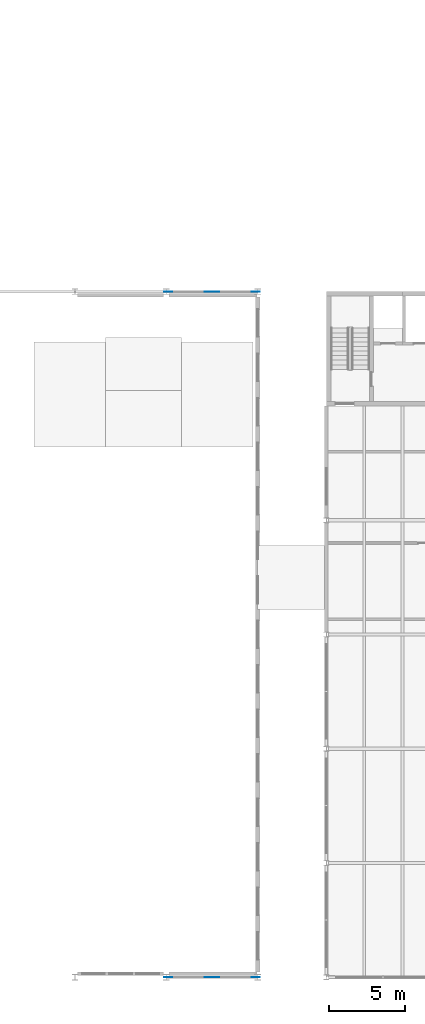
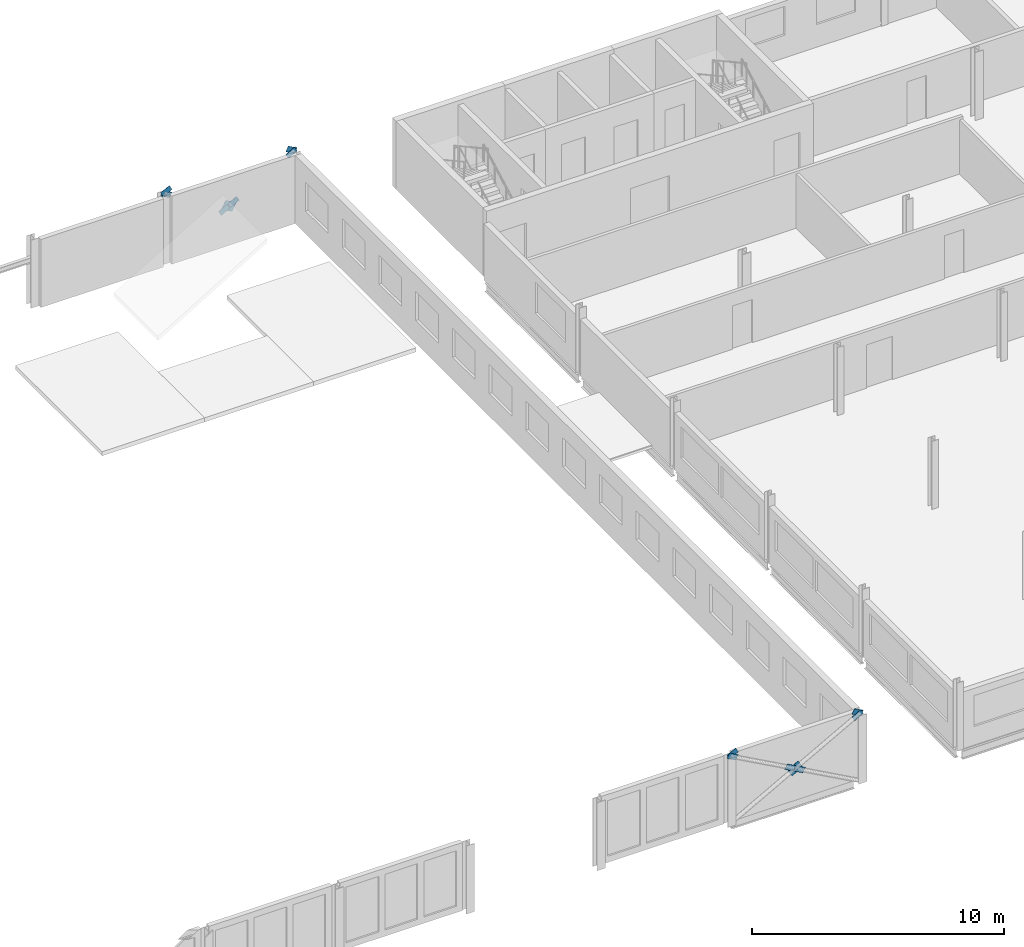
# One storey, part 163 of 198: 14 discrete accessories.
"""IFC4 building model written with IfcOpenShell, lengths in metres."""

from ifc_helpers import new_model, si_unit, direction, frame, origin, place, context, subcontext, project, spatial, polyline, outline, extrude, material, layer, layer_set, type_object, element, save


model = new_model("IFC4")

# Units and contexts
model_context = context("Model", 3, precision=1e-05, world=origin(), true_north=direction((0.0, 1.0)))
body_context = subcontext(model_context, "Body", "Model", "MODEL_VIEW")
ifc_project = project(units=[si_unit("LENGTHUNIT", "METRE"), si_unit("AREAUNIT", "SQUARE_METRE"), si_unit("VOLUMEUNIT", "CUBIC_METRE"), si_unit("PLANEANGLEUNIT", "RADIAN"), si_unit("MASSUNIT", "GRAM", prefix="KILO")], contexts=[model_context])

# Site, building, storey
site_placement = place(None, origin())
site = spatial("IfcSite", under=ifc_project, at=site_placement, CompositionType="ELEMENT")
building_placement = place(site_placement, origin())
building = spatial("IfcBuilding", under=site, at=building_placement, Name="Parallax Yard Mobility Hub", CompositionType="ELEMENT")
storey_placement = place(building_placement, frame((0.0, 0.0, 6.60009765625)))
storey = spatial("IfcBuildingStorey", under=building, at=storey_placement, Name="L02", CompositionType="ELEMENT", Elevation=6.60009765625)

# Discrete accessories
ifc_material = material(Name="Steel ASTM A36", Category="steel")
ifc_layer = layer(ifc_material, 0.011962890625)
ifc_layer_set = layer_set([ifc_layer], Name="Gusset plate PL12")
discrete_accessory_type = type_object("IfcDiscreteAccessoryType", Name="Gusset plate PL12", PredefinedType="BRACKET", material=ifc_layer_set)
discrete_accessory_1_placement = place(storey_placement, frame((92.606689453125, 7.5, 3.230712890625), z_axis=(0.0, 1.0, 0.0), x_axis=(0.876260918748, 0.0, 0.481836904226)))
element("IfcDiscreteAccessory", 1, at=discrete_accessory_1_placement, inside=storey, type_object=discrete_accessory_type, Name="Gusset plate PL12 at end 2 of X brace east end bay south face level 2 1", PredefinedType="BRACKET", context=body_context, shape_type="SweptSolid", body=[
    extrude(outline(polyline([(0.0, 0.0), (0.4580452909772414, 2.7755575615628914e-17), (0.4579089165423218, 0.25764514091531693), (0.00029148734181290437, 0.2578804128412087), (0.0, 0.0)])), origin(), (0.0, 0.0, -1.0), 0.011962890625),
])
for number, where, z_axis, x_axis, name in (
    (2, (90.350830078125, 7.5, 1.309814453125), (0.0, 1.0, 0.0), (-0.876137085839, 0.0, 0.482062036274), "Gusset plate PL12 at end 2 of X brace east end bay south face level 2 2 (half 1)"),
    (3, (89.649169921875, 7.5, 1.989990234375), (0.0, 1.0, 0.0), (0.876137085839, 0.0, -0.482062036274), "Gusset plate PL12 at end 1 of X brace east end bay south face level 2 2 (half 2)"),
):
    element("IfcDiscreteAccessory", number, at=place(storey_placement, frame(where, z_axis=z_axis, x_axis=x_axis)), inside=storey, type_object=discrete_accessory_type, Name=name, PredefinedType="BRACKET", context=body_context, shape_type="SweptSolid", body=[
        extrude(outline(polyline([(0.0, 0.0), (0.45783137520166645, -2.7755575615628914e-17), (0.45782004875185034, 0.25776278829712423), (0.00010636447700870799, 0.2579766889528468), (0.0, 0.0)])), origin(), (0.0, 0.0, -1.0), 0.011962890625),
    ])
discrete_accessory_2_placement = place(storey_placement, frame((87.268798828125, 7.5, 3.0048828125), z_axis=(0.0, 1.0, 0.0), x_axis=(-0.876013079243, 0.0, 0.482287346916)))
element("IfcDiscreteAccessory", 4, at=discrete_accessory_2_placement, inside=storey, type_object=discrete_accessory_type, Name="Gusset plate PL12 at end 2 of X brace east end bay south face level 2 2 (half 2)", PredefinedType="BRACKET", context=body_context, shape_type="SweptSolid", body=[
    extrude(outline(polyline([(0.0, 0.0), (0.4576174896799312, 0.0), (0.4578863255299387, 0.25764503675123607), (-0.00015890491134164242, 0.2578805286198472), (0.0, 0.0)])), origin(), (0.0, 0.0, -1.0), 0.011962890625),
])
discrete_accessory_3_placement = place(storey_placement, frame((87.393310546875, 7.5, 3.368896484375), z_axis=(0.0, 1.0, 0.0), x_axis=(-0.876485923717, 0.0, -0.481427487297)))
element("IfcDiscreteAccessory", 5, at=discrete_accessory_3_placement, inside=storey, type_object=discrete_accessory_type, Name="Gusset plate PL12 at end 1 of X brace east end bay south face level 3 1", PredefinedType="BRACKET", context=body_context, shape_type="SweptSolid", body=[
    extrude(outline(polyline([(0.0, 0.0), (0.45792770498553226, 0.0), (0.4579116950974483, 0.25764517651014446), (0.00029442574671517674, 0.25809423434664636), (0.0, 0.0)])), origin(), (0.0, 0.0, -1.0), 0.011962890625),
])
discrete_accessory_4_placement = place(storey_placement, frame((92.731201171875, 7.5, 3.594970703125), z_axis=(0.0, 1.0, 0.0), x_axis=(0.876013079243, 0.0, -0.482287346916)))
element("IfcDiscreteAccessory", 6, at=discrete_accessory_4_placement, inside=storey, type_object=discrete_accessory_type, Name="Gusset plate PL12 at end 1 of X brace east end bay south face level 3 2 (half 1)", PredefinedType="BRACKET", context=body_context, shape_type="SweptSolid", body=[
    extrude(outline(polyline([(0.0, 0.0), (0.4576174896799312, 0.0), (0.4578863255299387, 0.25764503675123607), (-4.115897703603488e-05, 0.25809439900052183), (0.0, 0.0)])), origin(), (0.0, 0.0, -1.0), 0.011962890625),
])
discrete_accessory_5_placement = place(storey_placement, frame((87.268798828125, 52.5, 3.0048828125), z_axis=(0.0, 1.0, 0.0), x_axis=(-0.876013079243, 0.0, 0.482287346916)))
element("IfcDiscreteAccessory", 7, at=discrete_accessory_5_placement, inside=storey, type_object=discrete_accessory_type, Name="Gusset plate PL12 at end 2 of X brace east end bay north face level 2 2", PredefinedType="BRACKET", context=body_context, shape_type="SweptSolid", body=[
    extrude(outline(polyline([(0.0, 0.0), (0.4576174896799312, 0.0), (0.4578863255299387, 0.25764503675123607), (-0.00015890491134164242, 0.2578805286198472), (0.0, 0.0)])), origin(), (0.0, 0.0, -1.0), 0.011962890625),
])
for number, where, z_axis, x_axis, name in (
    (8, (89.52490234375, 52.5, 1.535888671875), (0.0, 1.0, 0.0), (0.876362269373, 0.0, 0.481652543666), "Gusset plate PL12 at end 2 of X brace east end bay north face level 2 1 (half 1)"),
    (9, (90.47509765625, 52.5, 1.763916015625), (0.0, 1.0, 0.0), (-0.876362269373, 0.0, -0.481652543666), "Gusset plate PL12 at end 1 of X brace east end bay north face level 2 1 (half 2)"),
):
    element("IfcDiscreteAccessory", number, at=place(storey_placement, frame(where, z_axis=z_axis, x_axis=x_axis)), inside=storey, type_object=discrete_accessory_type, Name=name, PredefinedType="BRACKET", context=body_context, shape_type="SweptSolid", body=[
        extrude(outline(polyline([(0.0, 0.0), (0.45771373425530937, 0.0), (0.45784551946514324, 0.2577627548573592), (1.4194256790417414e-05, 0.25797671048953025), (0.0, 0.0)])), origin(), (0.0, 0.0, -1.0), 0.011962890625),
    ])
discrete_accessory_6_placement = place(storey_placement, frame((92.606689453125, 52.5, 3.230712890625), z_axis=(0.0, 1.0, 0.0), x_axis=(0.876260918748, 0.0, 0.481836904226)))
element("IfcDiscreteAccessory", 10, at=discrete_accessory_6_placement, inside=storey, type_object=discrete_accessory_type, Name="Gusset plate PL12 at end 2 of X brace east end bay north face level 2 1 (half 2)", PredefinedType="BRACKET", context=body_context, shape_type="SweptSolid", body=[
    extrude(outline(polyline([(0.0, 0.0), (0.4580452909772414, 2.7755575615628914e-17), (0.4579089165423218, 0.25764514091531693), (0.00029148734181290437, 0.2578804128412087), (0.0, 0.0)])), origin(), (0.0, 0.0, -1.0), 0.011962890625),
])
discrete_accessory_7_placement = place(storey_placement, frame((92.731201171875, 52.5, 3.594970703125), z_axis=(0.0, 1.0, 0.0), x_axis=(0.876013079243, 0.0, -0.482287346916)))
element("IfcDiscreteAccessory", 11, at=discrete_accessory_7_placement, inside=storey, type_object=discrete_accessory_type, Name="Gusset plate PL12 at end 1 of X brace east end bay north face level 3 2", PredefinedType="BRACKET", context=body_context, shape_type="SweptSolid", body=[
    extrude(outline(polyline([(0.0, 0.0), (0.4576174896799312, 0.0), (0.4578863255299387, 0.25764503675123607), (-4.115897703603488e-05, 0.25809439900052183), (0.0, 0.0)])), origin(), (0.0, 0.0, -1.0), 0.011962890625),
])
discrete_accessory_8_placement = place(storey_placement, frame((87.393310546875, 52.5, 3.368896484375), z_axis=(0.0, 1.0, 0.0), x_axis=(-0.876485923717, 0.0, -0.481427487297)))
element("IfcDiscreteAccessory", 12, at=discrete_accessory_8_placement, inside=storey, type_object=discrete_accessory_type, Name="Gusset plate PL12 at end 1 of X brace east end bay north face level 3 1 (half 1)", PredefinedType="BRACKET", context=body_context, shape_type="SweptSolid", body=[
    extrude(outline(polyline([(0.0, 0.0), (0.45792770498553226, 0.0), (0.4579116950974483, 0.25764517651014446), (0.00029442574671517674, 0.25809423434664636), (0.0, 0.0)])), origin(), (0.0, 0.0, -1.0), 0.011962890625),
])
discrete_accessory_9_placement = place(storey_placement, frame((89.653564453125, 7.5, 1.698974609375), z_axis=(0.0, 1.0, 0.0), x_axis=(0.876206700171, 0.0, 0.48193549213)))
element("IfcDiscreteAccessory", 13, at=discrete_accessory_9_placement, inside=storey, type_object=discrete_accessory_type, Name="Gusset plate PL12 crossing node of X brace east end bay south face level 2 2", PredefinedType="BRACKET", context=body_context, shape_type="SweptSolid", body=[
    extrude(outline(polyline([(0.0, 0.0), (0.5597748973262152, 0.0), (0.5597989617310029, 0.41991406741557824), (2.4064404787665916e-05, 0.41991406741557824), (0.0, 0.0)])), origin(), (0.0, 0.0, -1.0), 0.011962890625),
])
discrete_accessory_10_placement = place(storey_placement, frame((90.14404296875, 52.5, 1.3310546875), z_axis=(0.0, 1.0, 0.0), x_axis=(-0.876206700171, 0.0, 0.48193549213)))
element("IfcDiscreteAccessory", 14, at=discrete_accessory_10_placement, inside=storey, type_object=discrete_accessory_type, Name="Gusset plate PL12 crossing node of X brace east end bay north face level 2 1", PredefinedType="BRACKET", context=body_context, shape_type="SweptSolid", body=[
    extrude(outline(polyline([(0.0, 0.0), (0.5597748973262152, 0.0), (0.5597508329214275, 0.41991406741557824), (-2.4064404787665916e-05, 0.41991406741557824), (0.0, 0.0)])), origin(), (0.0, 0.0, -1.0), 0.011962890625),
])

save(model, "model.ifc")
